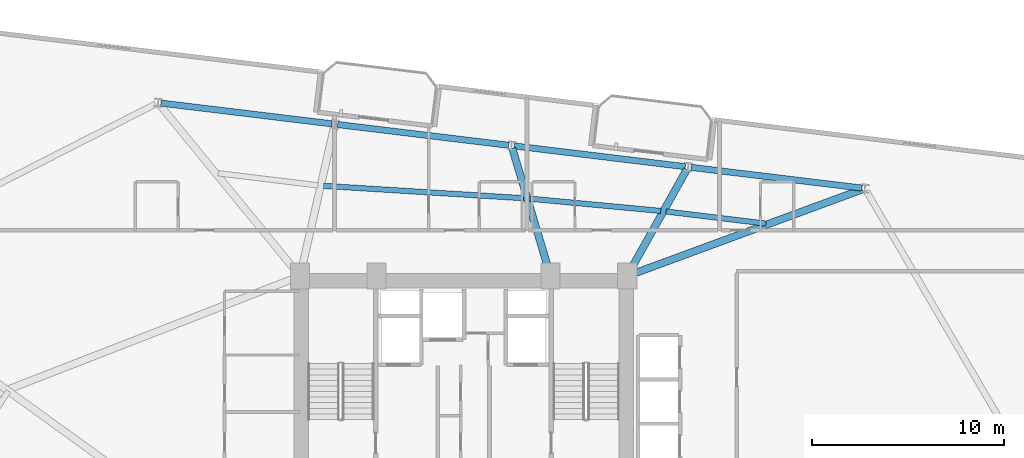
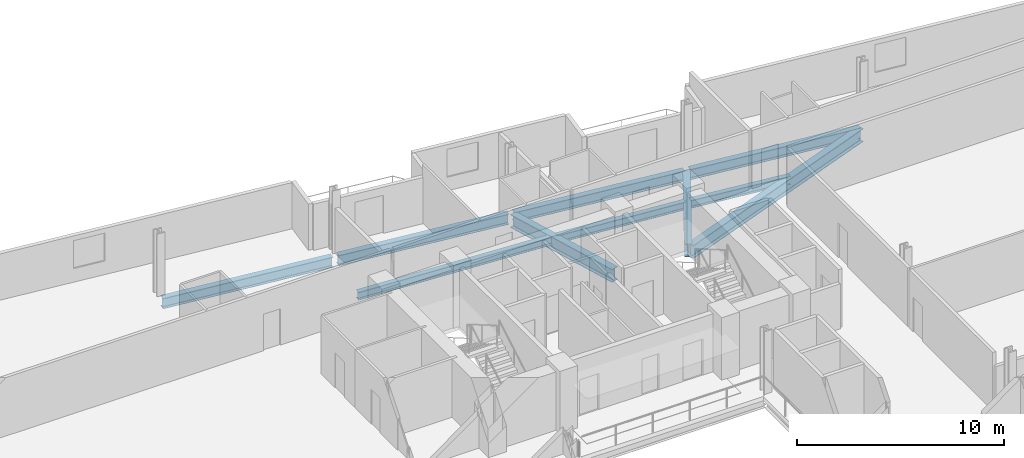
# One storey, part 13 of 26: 10 beams.
"""IFC4 building model written with IfcOpenShell, lengths in metres."""

from ifc_helpers import new_model, si_unit, direction, frame, origin, origin_2d, place, context, subcontext, project, spatial, i_section, extrude, material, material_profile, profile_set, type_object, element, save


model = new_model("IFC4")

# Units and contexts
model_context = context("Model", 3, precision=1e-05, world=origin(), true_north=direction((0.0, 1.0)))
body_context = subcontext(model_context, "Body", "Model", "MODEL_VIEW")
ifc_project = project(units=[si_unit("LENGTHUNIT", "METRE"), si_unit("AREAUNIT", "SQUARE_METRE"), si_unit("VOLUMEUNIT", "CUBIC_METRE"), si_unit("PLANEANGLEUNIT", "RADIAN"), si_unit("MASSUNIT", "GRAM", prefix="KILO")], contexts=[model_context])

# Site, building, storey
site_placement = place(None, origin())
site = spatial("IfcSite", under=ifc_project, at=site_placement, CompositionType="ELEMENT")
building_placement = place(site_placement, origin())
building = spatial("IfcBuilding", under=site, at=building_placement, Name="Varnelok Gate Tower", CompositionType="ELEMENT")
storey_placement = place(building_placement, frame((0.0, 0.0, 125.39990234375)))
storey = spatial("IfcBuildingStorey", under=building, at=storey_placement, Name="L31", CompositionType="ELEMENT", Elevation=125.39990234375)

# Beams
ifc_material = material(Name="Structural Steel ASTM A992 Grade 50", Category="steel")
ifc_material_profile_1 = material_profile(ifc_material, i_section(OverallWidth=0.280029296875, OverallDepth=0.462890625, WebThickness=0.0107421875, FlangeThickness=0.017333984375, FilletRadius=0.014892578125, at=origin_2d()), Name="W18X76")
ifc_profile_set_1 = profile_set([ifc_material_profile_1], Name="Structural Steel ASTM A992 Grade 50")
beam_type_1 = type_object("IfcBeamType", Name="BM-JST-W18X76", PredefinedType="JOIST", material=ifc_profile_set_1)
beam_1_placement = place(storey_placement, frame((54.911865234375, 41.776123046875, -0.4814453125), z_axis=(-0.99273192091, 0.120346720792, 0.0), x_axis=(-0.120346720792, -0.99273192091, 0.0)))
element("IfcBeam", 1, at=beam_1_placement, inside=storey, type_object=beam_type_1, Name="L31 Sector Floor Joist 7", PredefinedType="JOIST", context=body_context, shape_type="SweptSolid", body=[
    extrude(i_section(OverallWidth=0.280029296875, OverallDepth=0.462890625, WebThickness=0.0107421875, FlangeThickness=0.017333984375, FilletRadius=0.014892578125, at=origin_2d()), origin(), (0.0, 0.0, 1.0), 5.223876953125),
])
beam_2_placement = place(storey_placement, frame((49.44775390625, 42.4345703125, -0.4814453125), z_axis=(-0.995647510316, 0.093198901289, 0.0), x_axis=(-0.093198901289, -0.995647510316, 0.0)))
element("IfcBeam", 2, at=beam_2_placement, inside=storey, type_object=beam_type_1, Name="L31 Sector Floor Joist 8", PredefinedType="JOIST", context=body_context, shape_type="SweptSolid", body=[
    extrude(i_section(OverallWidth=0.280029296875, OverallDepth=0.462890625, WebThickness=0.0107421875, FlangeThickness=0.017333984375, FilletRadius=0.014892578125, at=origin_2d()), origin(), (0.0, 0.0, 1.0), 6.82666015625),
])
beam_3_placement = place(storey_placement, frame((42.37158203125, 43.092529296875, -0.4814453125), z_axis=(-0.998101680415, 0.061587624993, 0.0), x_axis=(-0.061587624993, -0.998101680415, 0.0)))
element("IfcBeam", 3, at=beam_3_placement, inside=storey, type_object=beam_type_1, Name="L31 Sector Floor Joist 9", PredefinedType="JOIST", context=body_context, shape_type="SweptSolid", body=[
    extrude(i_section(OverallWidth=0.280029296875, OverallDepth=0.462890625, WebThickness=0.0107421875, FlangeThickness=0.017333984375, FilletRadius=0.014892578125, at=origin_2d()), origin(), (0.0, 0.0, 1.0), 10.47705078125),
])
ifc_material_profile_2 = material_profile(ifc_material, i_section(OverallWidth=0.381103515625, OverallDepth=0.77294921875, WebThickness=0.0166015625, FlangeThickness=0.027099609375, FilletRadius=0.02197265625, at=origin_2d()), Name="W30X173")
ifc_profile_set_2 = profile_set([ifc_material_profile_2], Name="Structural Steel ASTM A992 Grade 50")
beam_type_2 = type_object("IfcBeamType", Name="BM-PRI-W30X173", PredefinedType="BEAM", material=ifc_profile_set_2)
beam_4_placement = place(storey_placement, frame((47.8408203125, 39.101806640625, -0.636474609375), z_axis=(0.938296458402, 0.345831976761, 0.0), x_axis=(-0.345831976761, 0.938296458402, 0.0)))
element("IfcBeam", 4, at=beam_4_placement, inside=storey, type_object=beam_type_2, Name="L31 Radial Floor Girder 9", PredefinedType="BEAM", context=body_context, shape_type="SweptSolid", body=[
    extrude(i_section(OverallWidth=0.381103515625, OverallDepth=0.77294921875, WebThickness=0.0166015625, FlangeThickness=0.027099609375, FilletRadius=0.02197265625, at=origin_2d()), origin(), (0.0, 0.0, 1.0), 12.86669921875),
])
beam_5_placement = place(storey_placement, frame((47.773193359375, 39.180908203125, -0.636474609375), z_axis=(0.48838490004, 0.872628322605, 0.0), x_axis=(-0.872628322605, 0.48838490004, 0.0)))
element("IfcBeam", 5, at=beam_5_placement, inside=storey, type_object=beam_type_2, Name="L31 Radial Floor Girder 10", PredefinedType="BEAM", context=body_context, shape_type="SweptSolid", body=[
    extrude(i_section(OverallWidth=0.381103515625, OverallDepth=0.77294921875, WebThickness=0.0166015625, FlangeThickness=0.027099609375, FilletRadius=0.02197265625, at=origin_2d()), origin(), (0.0, 0.0, 1.0), 6.193603515625),
])
beam_6_placement = place(storey_placement, frame((43.677001953125, 39.193603515625, -0.636474609375), z_axis=(-0.28702069947, 0.957924380145, 0.0), x_axis=(-0.957924380145, -0.28702069947, 0.0)))
element("IfcBeam", 6, at=beam_6_placement, inside=storey, type_object=beam_type_2, Name="L31 Radial Floor Girder 11", PredefinedType="BEAM", context=body_context, shape_type="SweptSolid", body=[
    extrude(i_section(OverallWidth=0.381103515625, OverallDepth=0.77294921875, WebThickness=0.0166015625, FlangeThickness=0.027099609375, FilletRadius=0.02197265625, at=origin_2d()), origin(), (0.0, 0.0, 1.0), 6.777587890625),
])
ifc_material_profile_3 = material_profile(ifc_material, i_section(OverallWidth=0.323974609375, OverallDepth=0.611083984375, WebThickness=0.0126953125, FlangeThickness=0.01904296875, FilletRadius=0.01806640625, at=origin_2d()), Name="W24X104")
ifc_profile_set_3 = profile_set([ifc_material_profile_3], Name="Structural Steel ASTM A992 Grade 50")
beam_type_3 = type_object("IfcBeamType", Name="BM-SPN-W24X104", PredefinedType="SPANDREL", material=ifc_profile_set_3)
for number, where, z_axis, x_axis, name in (
    (7, (59.905517578125, 43.621337890625, -0.555419921875), (-0.99273141198, 0.120350918849, 0.0), (-0.120350918849, -0.99273141198, 0.0), "L31 Perimeter Spandrel Beam 9"),
    (8, (50.72265625, 44.734619140625, -0.555419921875), (-0.992734670707, 0.120324035735, 0.0), (-0.120324035735, -0.992734670707, 0.0), "L31 Perimeter Spandrel Beam 10"),
    (9, (41.539794921875, 45.847900390625, -0.555419921875), (-0.992734670707, 0.120324035735, 0.0), (-0.120324035735, -0.992734670707, 0.0), "L31 Perimeter Spandrel Beam 11"),
    (10, (32.357177734375, 46.9609375, -0.555419921875), (-0.99273141198, 0.120350918849, 0.0), (-0.120350918849, -0.99273141198, 0.0), "L31 Perimeter Spandrel Beam 12"),
):
    element("IfcBeam", number, at=place(storey_placement, frame(where, z_axis=z_axis, x_axis=x_axis)), inside=storey, type_object=beam_type_3, Name=name, PredefinedType="SPANDREL", context=body_context, shape_type="SweptSolid", body=[
        extrude(i_section(OverallWidth=0.323974609375, OverallDepth=0.611083984375, WebThickness=0.0126953125, FlangeThickness=0.01904296875, FilletRadius=0.01806640625, at=origin_2d()), origin(), (0.0, 0.0, 1.0), 8.949951171875),
    ])

save(model, "model.ifc")
